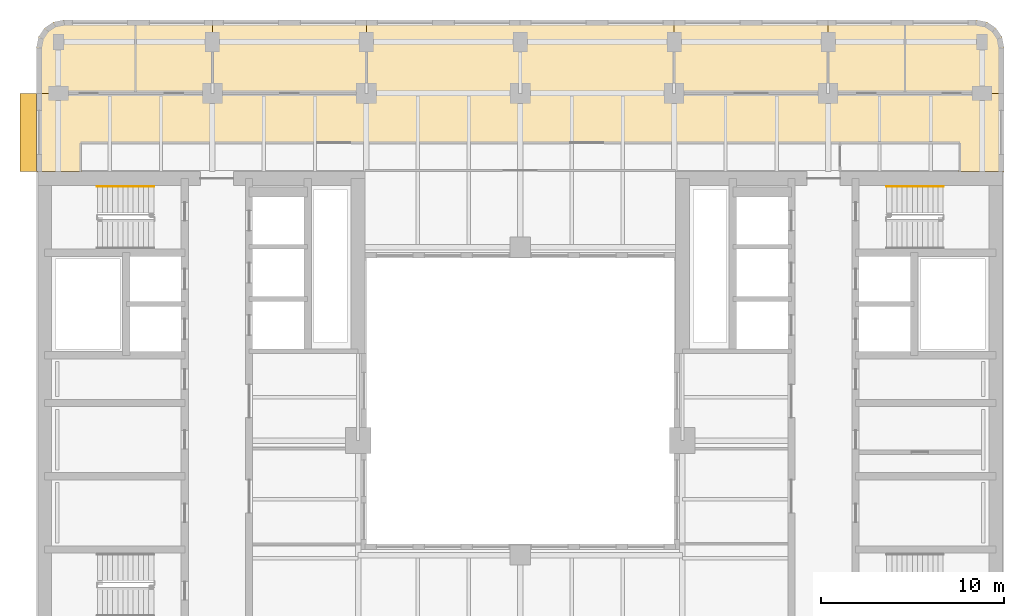
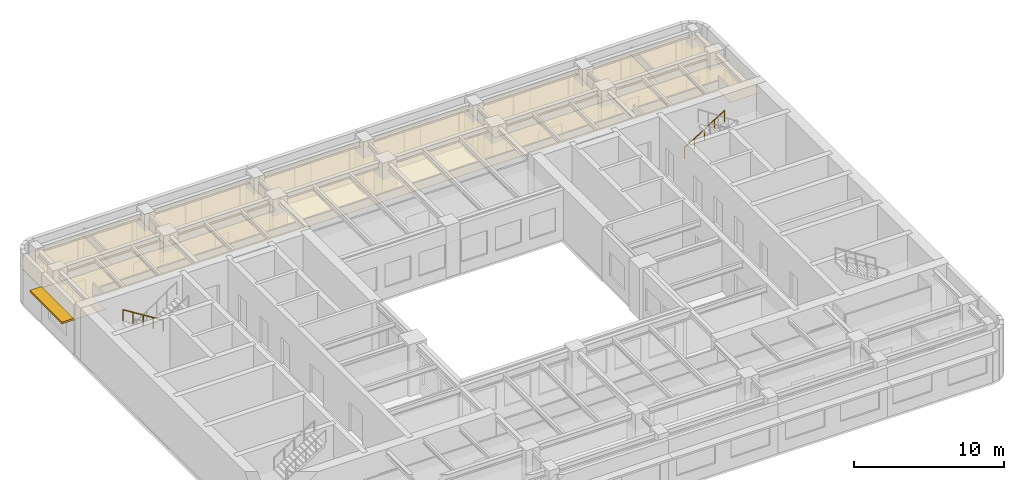
# One storey, part 11 of 11: 7 coverings, 2 railings, 1 shading device.
"""IFC4 building model written with IfcOpenShell, lengths in metres."""

import ifcopenshell
import ifcopenshell.guid

model = None  # the IFC model being written
_history = None  # IfcOwnerHistory: only IFC2X3 demands one
_inside = {}  # id of a spatial element -> (the spatial element, [elements in it])
_under = {}  # id of a project, library or spatial element -> (it, [spatial elements below it])
_declared = {}  # id of a project -> (the project, [libraries it declares])
_typed = {}  # id of a type object -> (the type object, [elements of that type])
_made_of = {}  # id of a material, layer set ... -> (it, [elements and type objects made of it])


def new_model(schema):
    """Start an empty IFC model of exactly this schema.

    Asked for "IFC4X3", IfcOpenShell would pick the latest addendum, in which some entities
    have other attributes; the version numbers below select the first issue.
    IFC2X3 requires an IfcOwnerHistory on every rooted entity: one is made here for all.
    """
    global model, _history
    if schema == "IFC4X3":
        model = ifcopenshell.file(schema_version=(4, 3, 0, 0))
    else:
        model = ifcopenshell.file(schema=schema)
    _inside.clear()
    _under.clear()
    _declared.clear()
    _typed.clear()
    _made_of.clear()
    _history = None
    if model.schema == "IFC2X3":
        org = make("IfcOrganization", Name="unknown")
        user = make(
            "IfcPersonAndOrganization",
            ThePerson=make("IfcPerson", FamilyName="unknown"),
            TheOrganization=org,
        )
        app = make(
            "IfcApplication",
            ApplicationDeveloper=org,
            Version="unknown",
            ApplicationFullName="unknown",
            ApplicationIdentifier="unknown",
        )
        _history = make(
            "IfcOwnerHistory",
            OwningUser=user,
            OwningApplication=app,
            ChangeAction="ADDED",
            CreationDate=0,
        )
    return model


def make(cls, **values):
    """One entity of the class cls with the attributes given. An attribute that is None is left unset."""
    return model.create_entity(
        cls, **{name: value for name, value in values.items() if value is not None}
    )


def rooted(cls, **values):
    """An entity with a GlobalId (a new one), such as an element, a storey or a relation."""
    return make(cls, GlobalId=ifcopenshell.guid.new(), OwnerHistory=_history, **values)


def si_unit(unit_type, name, prefix=None):
    """IfcSIUnit, for example si_unit("LENGTHUNIT", "METRE", prefix="MILLI")."""
    return make("IfcSIUnit", UnitType=unit_type, Prefix=prefix, Name=name)


def assignment(units):
    """IfcUnitAssignment: the units of a project."""
    return None if units is None else make("IfcUnitAssignment", Units=units)


def point(xyz):
    """IfcCartesianPoint."""
    return None if xyz is None else make("IfcCartesianPoint", Coordinates=xyz)


def direction(xyz):
    """IfcDirection."""
    return None if xyz is None else make("IfcDirection", DirectionRatios=xyz)


def frame(location, z_axis=None, x_axis=None):
    """IfcAxis2Placement3D, a coordinate frame: its origin and axes. An axis left out is left unset."""
    return make(
        "IfcAxis2Placement3D",
        Location=point(location),
        Axis=direction(z_axis),
        RefDirection=direction(x_axis),
    )


def frame_2d(location, x_axis=None):
    """IfcAxis2Placement2D, a coordinate frame in the plane: its origin and x axis."""
    return make(
        "IfcAxis2Placement2D", Location=point(location), RefDirection=direction(x_axis)
    )


def origin():
    """The frame at (0, 0, 0) with its axes left unset."""
    return frame((0.0, 0.0, 0.0))


def origin_2d():
    """The frame at (0, 0) in the plane with its x axis left unset."""
    return frame_2d((0.0, 0.0))


def place(relative_to, where):
    """IfcLocalPlacement: puts the frame where relative to a parent placement (None: the world)."""
    return make(
        "IfcLocalPlacement", PlacementRelTo=relative_to, RelativePlacement=where
    )


def context(
    kind, dimensions, precision=None, world=None, true_north=None, identifier=None
):
    """IfcGeometricRepresentationContext, for example the 3D "Model" context."""
    return make(
        "IfcGeometricRepresentationContext",
        ContextIdentifier=identifier,
        ContextType=kind,
        CoordinateSpaceDimension=dimensions,
        Precision=precision,
        WorldCoordinateSystem=world,
        TrueNorth=true_north,
    )


def subcontext(parent, identifier, kind, view, scale=None):
    """IfcGeometricRepresentationSubContext, for example "Body" below "Model"."""
    return make(
        "IfcGeometricRepresentationSubContext",
        ContextIdentifier=identifier,
        ContextType=kind,
        ParentContext=parent,
        TargetScale=scale,
        TargetView=view,
    )


def project(units=None, contexts=None):
    """IfcProject with its units and contexts."""
    return rooted(
        "IfcProject",
        Name="project",
        RepresentationContexts=contexts,
        UnitsInContext=assignment(units),
    )


def spatial(cls, under=None, at=None, **own):
    """A site, building, storey or space (cls), placed at a placement, below another one or the project."""
    s = rooted(cls, ObjectPlacement=at, **own)
    if under is not None:
        _under.setdefault(under.id(), (under, []))[1].append(s)
    return s


def polyline(points):
    """IfcPolyline through the points."""
    return make("IfcPolyline", Points=[point(p) for p in points])


def profile(cls, at=None, kind="AREA", **sizes):
    """A parametric profile (cls). Its sizes go by their IFC names, for example OverallWidth=200.0."""
    return make(cls, ProfileType=kind, Position=at, **sizes)


def rectangle(**sizes):
    """IfcRectangleProfileDef."""
    return profile("IfcRectangleProfileDef", **sizes)


def circle(**sizes):
    """IfcCircleProfileDef."""
    return profile("IfcCircleProfileDef", **sizes)


def outline(outer, holes=None, kind="AREA"):
    """IfcArbitraryClosedProfileDef: a profile drawn as a closed curve; with holes, ...WithVoids."""
    if holes is None:
        return make("IfcArbitraryClosedProfileDef", ProfileType=kind, OuterCurve=outer)
    return make(
        "IfcArbitraryProfileDefWithVoids",
        ProfileType=kind,
        OuterCurve=outer,
        InnerCurves=holes,
    )


def extrude(swept, where, along, depth):
    """IfcExtrudedAreaSolid: the profile swept, set in the frame where, extruded along a direction by depth."""
    return make(
        "IfcExtrudedAreaSolid",
        SweptArea=swept,
        Position=where,
        ExtrudedDirection=direction(along),
        Depth=depth,
    )


def shape(context_of_items, identifier, shape_type, items):
    """IfcShapeRepresentation: the items that make up one representation, for example the "Body"."""
    return make(
        "IfcShapeRepresentation",
        ContextOfItems=context_of_items,
        RepresentationIdentifier=identifier,
        RepresentationType=shape_type,
        Items=items,
    )


def material(Name=None, Category=None):
    """IfcMaterial."""
    return make("IfcMaterial", Name=Name, Category=Category)


def layer(
    of_material, thickness, ventilated=None, Name=None, Category=None, Priority=None
):
    """IfcMaterialLayer: one layer of a wall or slab, of a material (None: an air gap)."""
    return make(
        "IfcMaterialLayer",
        Material=of_material,
        LayerThickness=thickness,
        IsVentilated=ventilated,
        Name=Name,
        Category=Category,
        Priority=Priority,
    )


def layer_set(layers, Name=None):
    """IfcMaterialLayerSet."""
    return make("IfcMaterialLayerSet", MaterialLayers=layers, LayerSetName=Name)


def made_of(thing, what):
    """Note that an element or type object is made of a material, layer set ...; save() writes the relation."""
    if what is not None:
        _made_of.setdefault(what.id(), (what, []))[1].append(thing)
    return thing


def type_object(cls, material=None, **own):
    """A type object (cls), such as IfcWallType, which elements share."""
    return made_of(rooted(cls, **own), material)


def element(
    cls,
    number,
    at=None,
    inside=None,
    cuts=None,
    type_object=None,
    material=None,
    context=None,
    identifier="Body",
    shape_type=None,
    held_by="IfcProductDefinitionShape",
    body=None,
    shapes=None,
    **own,
):
    """One element of the class cls, such as IfcWall. Its Tag is "e" and its number.

    at: its placement. inside: the storey or other place that contains it. cuts: it is an
    opening in that element (IfcRelVoidsElement). A single representation is given by context,
    identifier, shape_type and body (its items); several are given by shapes. held_by: the class
    of the entity that holds the representations. save() writes the other relations.
    """
    e = rooted(cls, Tag="e%d" % number, ObjectPlacement=at, **own)
    if body is not None:
        shapes = [shape(context, identifier, shape_type, body)]
    if shapes is not None:
        e.Representation = make(held_by, Representations=shapes)
    if inside is not None:
        _inside.setdefault(inside.id(), (inside, []))[1].append(e)
    if cuts is not None:
        rooted(
            "IfcRelVoidsElement", RelatingBuildingElement=cuts, RelatedOpeningElement=e
        )
    if type_object is not None:
        _typed.setdefault(type_object.id(), (type_object, []))[1].append(e)
    return made_of(e, material)


def aggregate(whole, parts):
    """IfcRelAggregates: a whole, such as a stair, and the parts it consists of."""
    return rooted("IfcRelAggregates", RelatingObject=whole, RelatedObjects=parts)


def save(model, path):
    """Write the relations noted so far, then the file.

    IfcRelAggregates (storeys below a building ...), IfcRelContainedInSpatialStructure (elements
    in a storey), IfcRelDefinesByType, IfcRelAssociatesMaterial and IfcRelDeclares: one each for
    every whole, place, type object, material and project.
    """
    for whole, parts in _under.values():
        aggregate(whole, parts)
    for where, things in _inside.values():
        rooted(
            "IfcRelContainedInSpatialStructure",
            RelatedElements=things,
            RelatingStructure=where,
        )
    for kind, things in _typed.values():
        rooted("IfcRelDefinesByType", RelatedObjects=things, RelatingType=kind)
    for what, things in _made_of.values():
        rooted("IfcRelAssociatesMaterial", RelatedObjects=things, RelatingMaterial=what)
    for by, libraries in _declared.values():
        rooted("IfcRelDeclares", RelatingContext=by, RelatedDefinitions=libraries)
    model.write(path)


model = new_model("IFC4")

# Units and contexts
model_context = context("Model", 3, precision=1e-05, world=origin(), true_north=direction((0.0, 1.0)))
body_context = subcontext(model_context, "Body", "Model", "MODEL_VIEW")
ifc_project = project(units=[si_unit("LENGTHUNIT", "METRE"), si_unit("AREAUNIT", "SQUARE_METRE"), si_unit("VOLUMEUNIT", "CUBIC_METRE"), si_unit("PLANEANGLEUNIT", "RADIAN"), si_unit("MASSUNIT", "GRAM", prefix="KILO")], contexts=[model_context])

# Site, building, storey
site_placement = place(None, origin())
site = spatial("IfcSite", under=ifc_project, at=site_placement, CompositionType="ELEMENT")
building_placement = place(site_placement, origin())
building = spatial("IfcBuilding", under=site, at=building_placement, Name="Claustro Exchange Tower", CompositionType="ELEMENT")
storey_placement = place(building_placement, frame((0.0, 0.0, 186.0)))
storey = spatial("IfcBuildingStorey", under=building, at=storey_placement, Name="L42", CompositionType="ELEMENT", Elevation=186.0)

# Coverings
ifc_material_1 = material(Name="Perforated metal ceiling tiles", Category="steel")
ifc_layer_1 = layer(ifc_material_1, 0.030029296875)
ifc_layer_set_1 = layer_set([ifc_layer_1], Name="Perforated metal ceiling tiles")
covering_type_1 = type_object("IfcCoveringType", Name="CL1 suspended metal ceiling", PredefinedType="CEILING", material=ifc_layer_set_1)
covering_1_placement = place(storey_placement, frame((0.0, 0.0, 2.800048828125)))
element("IfcCovering", 1, at=covering_1_placement, inside=storey, type_object=covering_type_1, Name="Ceiling CL1 L42-17", PredefinedType="CEILING", context=body_context, shape_type="SweptSolid", body=[
    extrude(outline(polyline([(-1.125, 37.72509765625), (1.294921875, 37.72509765625), (1.294921875, 37.800048828125), (1.199951171875, 37.800048828125), (1.199951171875, 39.300048828125), (49.199951171875, 39.300048828125), (49.199951171875, 37.800048828125), (49.10498046875, 37.800048828125), (49.10498046875, 37.72509765625), (51.52490234375, 37.72509765625), (51.52490234375, 37.705078125), (51.60009765625, 37.705078125), (51.60009765625, 42.0), (33.60009765625, 42.0), (33.60009765625, 46.0), (16.800048828125, 46.0), (16.800048828125, 42.0), (-1.199951171875, 42.0), (-1.199951171875, 37.705078125), (-1.125, 37.705078125), (-1.125, 37.72509765625)])), origin(), (0.0, 0.0, 1.0), 0.030029296875),
])
ifc_material_2 = material(Name="Gypsum board ceiling", Category="gypsum board")
ifc_layer_2 = layer(ifc_material_2, 0.02490234375)
ifc_layer_set_2 = layer_set([ifc_layer_2], Name="Gypsum board ceiling")
covering_type_2 = type_object("IfcCoveringType", Name="CL2 plasterboard ceiling", PredefinedType="CEILING", material=ifc_layer_set_2)
covering_2_placement = place(storey_placement, frame((0.0, 0.0, 2.800048828125)))
element("IfcCovering", 2, at=covering_2_placement, inside=storey, type_object=covering_type_2, Name="Ceiling CL2 L42-18", PredefinedType="CEILING", context=body_context, shape_type="SweptSolid", body=[
    extrude(outline(polyline([(-1.199951171875, 44.5), (-1.199951171875, 42.0), (4.199951171875, 42.0), (4.199951171875, 46.0), (0.300048828125, 46.0), (-0.27392578125, 45.8857421875), (-0.7607421875, 45.560791015625), (-1.085693359375, 45.073974609375), (-1.199951171875, 44.5)])), origin(), (0.0, 0.0, 1.0), 0.02490234375),
])
covering_3_placement = place(storey_placement, frame((0.0, 0.0, 2.800048828125)))
element("IfcCovering", 3, at=covering_3_placement, inside=storey, type_object=covering_type_2, Name="Ceiling CL2 L42-19", PredefinedType="CEILING", context=body_context, shape_type="SweptSolid", body=[
    extrude(outline(polyline([(8.39990234375, 46.0), (4.199951171875, 46.0), (4.199951171875, 42.0), (8.39990234375, 42.0), (8.39990234375, 46.0)])), origin(), (0.0, 0.0, 1.0), 0.02490234375),
])
covering_4_placement = place(storey_placement, frame((0.0, 0.0, 2.800048828125)))
element("IfcCovering", 4, at=covering_4_placement, inside=storey, type_object=covering_type_2, Name="Ceiling CL2 L42-20", PredefinedType="CEILING", context=body_context, shape_type="SweptSolid", body=[
    extrude(outline(polyline([(16.800048828125, 46.0), (8.39990234375, 46.0), (8.39990234375, 42.0), (16.800048828125, 42.0), (16.800048828125, 46.0)])), origin(), (0.0, 0.0, 1.0), 0.02490234375),
])
covering_5_placement = place(storey_placement, frame((0.0, 0.0, 2.800048828125)))
element("IfcCovering", 5, at=covering_5_placement, inside=storey, type_object=covering_type_2, Name="Ceiling CL2 L42-21", PredefinedType="CEILING", context=body_context, shape_type="SweptSolid", body=[
    extrude(outline(polyline([(42.0, 46.0), (33.60009765625, 46.0), (33.60009765625, 42.0), (42.0, 42.0), (42.0, 46.0)])), origin(), (0.0, 0.0, 1.0), 0.02490234375),
])
covering_6_placement = place(storey_placement, frame((0.0, 0.0, 2.800048828125)))
element("IfcCovering", 6, at=covering_6_placement, inside=storey, type_object=covering_type_2, Name="Ceiling CL2 L42-22", PredefinedType="CEILING", context=body_context, shape_type="SweptSolid", body=[
    extrude(outline(polyline([(46.199951171875, 46.0), (42.0, 46.0), (42.0, 42.0), (46.199951171875, 42.0), (46.199951171875, 46.0)])), origin(), (0.0, 0.0, 1.0), 0.02490234375),
])
covering_7_placement = place(storey_placement, frame((0.0, 0.0, 2.800048828125)))
element("IfcCovering", 7, at=covering_7_placement, inside=storey, type_object=covering_type_2, Name="Ceiling CL2 L42-23", PredefinedType="CEILING", context=body_context, shape_type="SweptSolid", body=[
    extrude(outline(polyline([(50.10009765625, 46.0), (46.199951171875, 46.0), (46.199951171875, 42.0), (51.60009765625, 42.0), (51.60009765625, 44.5), (51.48583984375, 45.073974609375), (51.16064453125, 45.560791015625), (50.674072265625, 45.8857421875), (50.10009765625, 46.0)])), origin(), (0.0, 0.0, 1.0), 0.02490234375),
])

# Railings
ifc_material_3 = material(Name="Stainless steel tube", Category="steel")
railing_type = type_object("IfcRailingType", Name="HR1 900 stair handrail", PredefinedType="HANDRAIL", material=ifc_material_3)
railing_1_placement = place(storey_placement, frame((5.199951171875, 36.9150390625, 0.175048828125)))
element("IfcRailing", 8, at=railing_1_placement, inside=storey, type_object=railing_type, Name="Handrail HR1 stair STWB L42", PredefinedType="HANDRAIL", context=body_context, shape_type="SweptSolid", body=[
    extrude(circle(Radius=0.02392578125, at=origin_2d()), frame((0.0, 0.0, 0.8759765625), z_axis=(-0.847979421464, 0.0, 0.530029150871), x_axis=(0.0, -1.0, 0.0)), (0.0, 0.0, 1.0), 3.632080078125),
    extrude(circle(Radius=0.02099609375, at=origin_2d()), origin(), (0.0, 0.0, 1.0), 0.851806640625),
    extrude(circle(Radius=0.02099609375, at=origin_2d()), frame((-0.77001953125, 0.0, 0.481201171875)), (0.0, 0.0, 1.0), 0.851806640625),
    extrude(circle(Radius=0.02099609375, at=origin_2d()), frame((-1.5400390625, 0.0, 0.96240234375)), (0.0, 0.0, 1.0), 0.851806640625),
    extrude(circle(Radius=0.02099609375, at=origin_2d()), frame((-2.309814453125, 0.0, 1.44384765625)), (0.0, 0.0, 1.0), 0.851806640625),
    extrude(circle(Radius=0.02099609375, at=origin_2d()), frame((-3.079833984375, 0.0, 1.925048828125)), (0.0, 0.0, 1.0), 0.851806640625),
])
railing_2_placement = place(storey_placement, frame((45.199951171875, 36.9150390625, 0.175048828125)))
element("IfcRailing", 9, at=railing_2_placement, inside=storey, type_object=railing_type, Name="Handrail HR1 stair STEB L42", PredefinedType="HANDRAIL", context=body_context, shape_type="SweptSolid", body=[
    extrude(circle(Radius=0.02392578125, at=origin_2d()), frame((0.0, 0.0, 0.8759765625), z_axis=(0.847998304005, 0.0, 0.529998940003), x_axis=(0.0, 1.0, 0.0)), (0.0, 0.0, 1.0), 3.632080078125),
    extrude(circle(Radius=0.02099609375, at=origin_2d()), origin(), (0.0, 0.0, 1.0), 0.851806640625),
    extrude(circle(Radius=0.02099609375, at=origin_2d()), frame((0.77001953125, 0.0, 0.481201171875)), (0.0, 0.0, 1.0), 0.851806640625),
    extrude(circle(Radius=0.02099609375, at=origin_2d()), frame((1.5400390625, 0.0, 0.96240234375)), (0.0, 0.0, 1.0), 0.851806640625),
    extrude(circle(Radius=0.02099609375, at=origin_2d()), frame((2.31005859375, 0.0, 1.44384765625)), (0.0, 0.0, 1.0), 0.851806640625),
    extrude(circle(Radius=0.02099609375, at=origin_2d()), frame((3.080078125, 0.0, 1.925048828125)), (0.0, 0.0, 1.0), 0.851806640625),
])

# Shading device
ifc_material_4 = material(Name="Concrete HA-40 (C40/50), precast, white cement, acid-etched", Category="concrete")
ifc_layer_3 = layer(ifc_material_4, 0.14990234375)
ifc_layer_set_3 = layer_set([ifc_layer_3], Name="Concrete HA-40 (C40/50), precast, white cement, acid-etched")
shading_device_type = type_object("IfcShadingDeviceType", Name="SS2 900 precast concrete SUNSHADE", PredefinedType="SHUTTER", material=ifc_layer_set_3)
shading_device_placement = place(storey_placement, frame((-1.64990234375, 39.862548828125, 2.800048828125), z_axis=(0.0, 0.0, 1.0), x_axis=(0.0, 1.0, 0.0)))
element("IfcShadingDevice", 10, at=shading_device_placement, inside=storey, type_object=shading_device_type, Name="Precast SUNSHADE SS2 L42", PredefinedType="SHUTTER", context=body_context, shape_type="SweptSolid", body=[
    extrude(rectangle(XDim=4.27490234375, YDim=0.89990234375, at=origin_2d()), origin(), (0.0, 0.0, 1.0), 0.14990234375),
])

save(model, "model.ifc")
